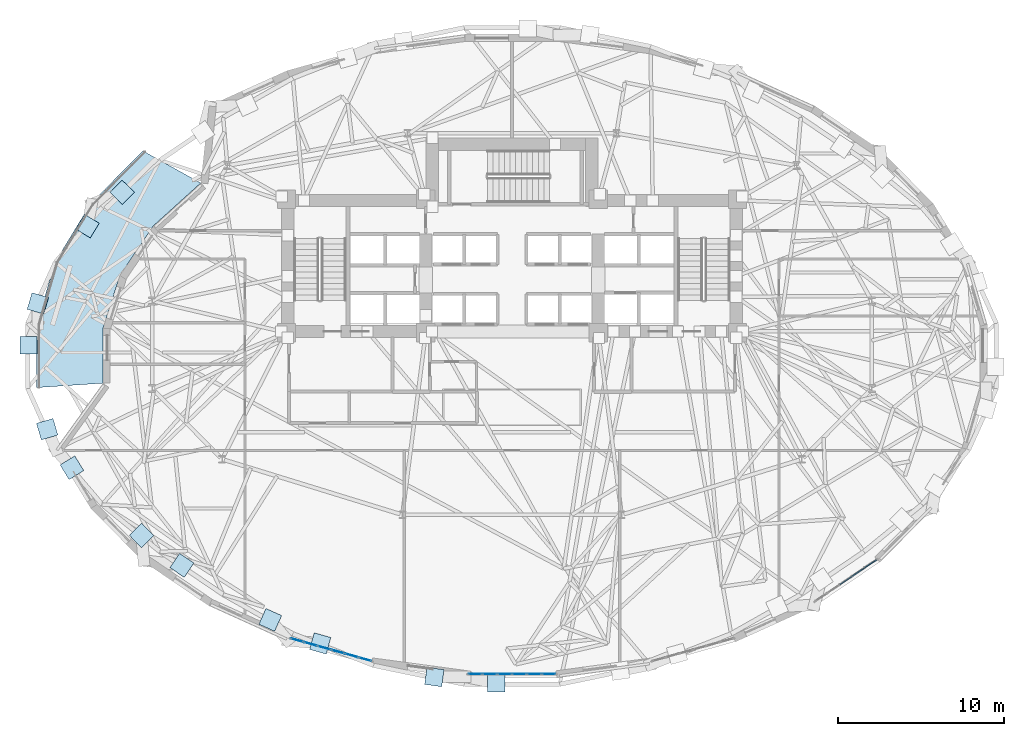
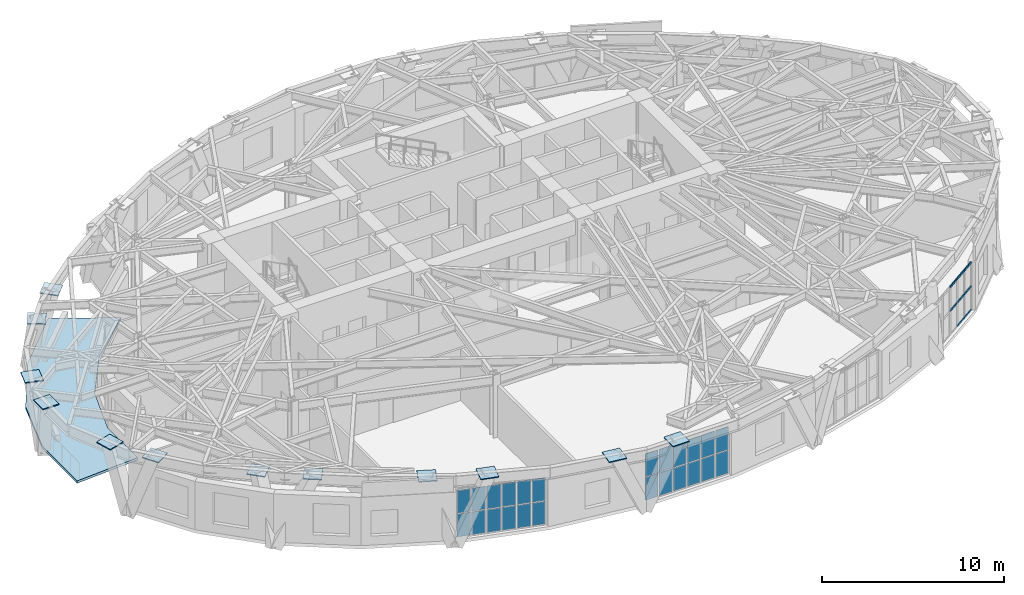
# One storey, part 9 of 20: 36 plates, 8 members, 1 slab, 3 elements without a shape of their own.
"""IFC4 building model written with IfcOpenShell, lengths in metres."""

from ifc_helpers import new_model, si_unit, direction, frame, origin, origin_2d, place, context, subcontext, project, spatial, polyline, rectangle, outline, extrude, material, layer, layer_set, material_profile, profile_set, type_object, element, aggregate, save


model = new_model("IFC4")

# Units and contexts
model_context = context("Model", 3, precision=1e-05, world=origin(), true_north=direction((0.0, 1.0)))
body_context = subcontext(model_context, "Body", "Model", "MODEL_VIEW")
ifc_project = project(units=[si_unit("LENGTHUNIT", "METRE"), si_unit("AREAUNIT", "SQUARE_METRE"), si_unit("VOLUMEUNIT", "CUBIC_METRE"), si_unit("PLANEANGLEUNIT", "RADIAN"), si_unit("MASSUNIT", "GRAM", prefix="KILO")], contexts=[model_context])

# Site, building, storey
site_placement = place(None, origin())
site = spatial("IfcSite", under=ifc_project, at=site_placement, CompositionType="ELEMENT")
building_placement = place(site_placement, origin())
building = spatial("IfcBuilding", under=site, at=building_placement, Name="Keldmark Tower", CompositionType="ELEMENT")
storey_placement = place(building_placement, frame((0.0, 0.0, 81.89990234375)))
storey = spatial("IfcBuildingStorey", under=building, at=storey_placement, Name="L21", CompositionType="ELEMENT", Elevation=81.89990234375)

# Curtain wall, members
ifc_material_1 = material(Name="Unitized Thermally Broken Aluminum and Triple Low-E Glazing", Category="aluminium")
ifc_layer_1 = layer(ifc_material_1, 0.219970703125)
ifc_layer_set_1 = layer_set([ifc_layer_1], Name="Unitized Thermally Broken Aluminum and Triple Low-E Glazing")
curtain_wall_type = type_object("IfcCurtainWallType", Name="Sky Lobby Amenity Curtain Wall System", PredefinedType="NOTDEFINED", material=ifc_layer_set_1)
curtain_wall_1_placement = place(storey_placement, origin())
curtain_wall_1 = element("IfcCurtainWall", 1, at=curtain_wall_1_placement, inside=storey, type_object=curtain_wall_type, Name="L21 Sky Lobby Amenity Curtain Wall System CW-L21-28", PredefinedType="NOTDEFINED")
ifc_material_2 = material(Name="Extruded Aluminum Alloy 6063-T6", Category="aluminium")
ifc_material_profile = material_profile(ifc_material_2, rectangle(XDim=0.06005859375, YDim=0.139892578125, at=origin_2d()), Name="CWT60X140")
ifc_profile_set = profile_set([ifc_material_profile], Name="Extruded Aluminum Alloy 6063-T6")
member_type = type_object("IfcMemberType", Name="Curtain Wall Horizontal Transom 60x140", PredefinedType="USERDEFINED", material=ifc_profile_set)
member_1_placement = place(storey_placement, frame((21.973876953125, -12.300537109375, 0.030029296875), z_axis=(-0.828128646075, -0.560538085726, 0.0), x_axis=(0.560538085726, -0.828128646075, 0.0)))
member_1 = element("IfcMember", 2, at=member_1_placement, type_object=member_type, Name="CW transom 1.1", ObjectType="TRANSOM", PredefinedType="USERDEFINED", context=body_context, shape_type="SweptSolid", body=[
    extrude(rectangle(XDim=0.06005859375, YDim=0.139892578125, at=origin_2d()), origin(), (0.0, 0.0, 1.0), 0.818359375),
])
member_2_placement = place(storey_placement, frame((21.973876953125, -12.300537109375, 1.614013671875), z_axis=(-0.828128646075, -0.560538085726, 0.0), x_axis=(0.560538085726, -0.828128646075, 0.0)))
member_2 = element("IfcMember", 3, at=member_2_placement, type_object=member_type, Name="CW transom 1.2", ObjectType="TRANSOM", PredefinedType="USERDEFINED", context=body_context, shape_type="SweptSolid", body=[
    extrude(rectangle(XDim=0.06005859375, YDim=0.139892578125, at=origin_2d()), origin(), (0.0, 0.0, 1.0), 0.818359375),
])
member_3_placement = place(storey_placement, frame((21.973876953125, -12.300537109375, 3.197998046875), z_axis=(-0.828128646075, -0.560538085726, 0.0), x_axis=(0.560538085726, -0.828128646075, 0.0)))
member_3 = element("IfcMember", 4, at=member_3_placement, type_object=member_type, Name="CW transom 1.3", ObjectType="TRANSOM", PredefinedType="USERDEFINED", context=body_context, shape_type="SweptSolid", body=[
    extrude(rectangle(XDim=0.06005859375, YDim=0.139892578125, at=origin_2d()), origin(), (0.0, 0.0, 1.0), 0.818359375),
])
member_4_placement = place(storey_placement, frame((21.24658203125, -12.79296875, 0.030029296875), z_axis=(-0.828043690832, -0.560663576552, 0.0), x_axis=(0.560663576552, -0.828043690832, 0.0)))
member_4 = element("IfcMember", 5, at=member_4_placement, type_object=member_type, Name="CW transom 2.1", ObjectType="TRANSOM", PredefinedType="USERDEFINED", context=body_context, shape_type="SweptSolid", body=[
    extrude(rectangle(XDim=0.06005859375, YDim=0.139892578125, at=origin_2d()), origin(), (0.0, 0.0, 1.0), 0.84814453125),
])
member_5_placement = place(storey_placement, frame((21.24658203125, -12.79296875, 1.614013671875), z_axis=(-0.828043690832, -0.560663576552, 0.0), x_axis=(0.560663576552, -0.828043690832, 0.0)))
member_5 = element("IfcMember", 6, at=member_5_placement, type_object=member_type, Name="CW transom 2.2", ObjectType="TRANSOM", PredefinedType="USERDEFINED", context=body_context, shape_type="SweptSolid", body=[
    extrude(rectangle(XDim=0.06005859375, YDim=0.139892578125, at=origin_2d()), origin(), (0.0, 0.0, 1.0), 0.84814453125),
])
member_6_placement = place(storey_placement, frame((21.24658203125, -12.79296875, 3.197998046875), z_axis=(-0.828043690832, -0.560663576552, 0.0), x_axis=(0.560663576552, -0.828043690832, 0.0)))
member_6 = element("IfcMember", 7, at=member_6_placement, type_object=member_type, Name="CW transom 2.3", ObjectType="TRANSOM", PredefinedType="USERDEFINED", context=body_context, shape_type="SweptSolid", body=[
    extrude(rectangle(XDim=0.06005859375, YDim=0.139892578125, at=origin_2d()), origin(), (0.0, 0.0, 1.0), 0.84814453125),
])
member_7_placement = place(storey_placement, frame((20.494384765625, -13.30224609375, 1.614013671875), z_axis=(-0.828043690832, -0.560663576552, 0.0), x_axis=(0.560663576552, -0.828043690832, 0.0)))
member_7 = element("IfcMember", 8, at=member_7_placement, type_object=member_type, Name="CW transom 3.2", ObjectType="TRANSOM", PredefinedType="USERDEFINED", context=body_context, shape_type="SweptSolid", body=[
    extrude(rectangle(XDim=0.06005859375, YDim=0.139892578125, at=origin_2d()), origin(), (0.0, 0.0, 1.0), 0.84814453125),
])
member_8_placement = place(storey_placement, frame((20.494384765625, -13.30224609375, 3.197998046875), z_axis=(-0.828043690832, -0.560663576552, 0.0), x_axis=(0.560663576552, -0.828043690832, 0.0)))
member_8 = element("IfcMember", 9, at=member_8_placement, type_object=member_type, Name="CW transom 3.3", ObjectType="TRANSOM", PredefinedType="USERDEFINED", context=body_context, shape_type="SweptSolid", body=[
    extrude(rectangle(XDim=0.06005859375, YDim=0.139892578125, at=origin_2d()), origin(), (0.0, 0.0, 1.0), 0.84814453125),
])
aggregate(curtain_wall_1, [member_1, member_2, member_3, member_4, member_5, member_6, member_7, member_8])

# Plates
ifc_material_3 = material(Name="Steel ASTM A572 Grade 50", Category="steel")
ifc_layer_2 = layer(ifc_material_3, 0.06494140625)
ifc_layer_set_2 = layer_set([ifc_layer_2], Name="Steel ASTM A572 Grade 50")
plate_type_1 = type_object("IfcPlateType", Name="Diagrid Node Assembly DN02 65 mm", PredefinedType="USERDEFINED", material=ifc_layer_set_2)
for number, where, z_axis, x_axis, name in (
    (10, (-23.507080078125, 9.8671875, 3.857666015625), (0.0, 0.0, 1.0), (-0.70240155419, -0.711780904964, 0.0), "L21 Diagrid Node Assembly 13"),
    (11, (-25.6044921875, 7.829345703125, 3.857666015625), (0.0, 0.0, 1.0), (-0.521903182306, -0.853004729353, 0.0), "L21 Diagrid Node Assembly 14"),
    (12, (-28.591552734375, 3.16943359375, 3.857666015625), (0.0, 0.0, 1.0), (-0.281839122541, -0.959461676674, 0.0), "L21 Diagrid Node Assembly 15"),
    (13, (-29.148193359375, 0.64404296875, 3.857666015625), (0.0, 0.0, 1.0), (0.0, -1.0, 0.0), "L21 Diagrid Node Assembly 16"),
    (14, (-28.0302734375, -4.41796875, 3.857666015625), (0.0, 0.0, 1.0), (0.281839122541, -0.959461676674, 0.0), "L21 Diagrid Node Assembly 17"),
    (15, (-26.53662109375, -6.741943359375, 3.857666015625), (0.0, 0.0, 1.0), (0.521903182306, -0.853004729353, 0.0), "L21 Diagrid Node Assembly 18"),
    (16, (-22.333740234375, -10.826416015625, 3.857666015625), (0.0, 0.0, 1.0), (0.70240155419, -0.711780904964, 0.0), "L21 Diagrid Node Assembly 19"),
    (17, (-19.90478515625, -12.62548828125, 3.857666015625), (0.0, 0.0, 1.0), (0.828060334622, -0.560638994563, 0.0), "L21 Diagrid Node Assembly 20"),
    (18, (-14.57568359375, -15.91845703125, 3.857666015625), (0.0, 0.0, 1.0), (0.911115763336, -0.41215053779, 0.0), "L21 Diagrid Node Assembly 21"),
    (19, (-11.564453125, -17.337890625, 3.857666015625), (0.0, 0.0, 1.0), (0.962833300518, -0.270096344686, 0.0), "L21 Diagrid Node Assembly 22"),
    (20, (-4.68408203125, -19.361328125, 3.857666015625), (0.0, 0.0, 1.0), (0.991053218872, -0.133467289485, 0.0), "L21 Diagrid Node Assembly 23"),
    (21, (-0.952880859375, -19.738037109375, 3.857666015625), (0.0, 0.0, 1.0), (1.0, 0.0, 0.0), "L21 Diagrid Node Assembly 24"),
):
    element("IfcPlate", number, at=place(storey_placement, frame(where, z_axis=z_axis, x_axis=x_axis)), inside=storey, type_object=plate_type_1, Name=name, ObjectType="GUSSET", PredefinedType="USERDEFINED", context=body_context, shape_type="SweptSolid", body=[
        extrude(rectangle(XDim=1.0400390625, YDim=1.0400390625, at=origin_2d()), origin(), (0.0, 0.0, 1.0), 0.06494140625),
    ])

# Slab
ifc_material_4 = material(Name="Concrete C35/45", Category="concrete")
ifc_layer_3 = layer(ifc_material_4, 0.1650390625)
ifc_layer_set_3 = layer_set([ifc_layer_3], Name="Concrete C35/45")
slab_type = type_object("IfcSlabType", Name="Planted Sky-Garden Terrace Slab 165 mm", PredefinedType="ROOF", material=ifc_layer_set_3)
slab_placement = place(storey_placement, frame((0.0, 0.0, -0.164794921875)))
element("IfcSlab", 22, at=slab_placement, inside=storey, type_object=slab_type, Name="Planted Sky-Garden Terrace Slab", PredefinedType="ROOF", context=body_context, shape_type="SweptSolid", body=[
    extrude(outline(polyline([(-22.2626953125, 12.37060546875), (-25.3994140625, 9.192138671875), (-27.559814453125, 5.66064453125), (-28.661376953125, 1.911376953125), (-28.661376953125, -1.911376953125), (-24.670166015625, -1.64501953125), (-24.670166015625, 1.64501953125), (-23.6416015625, 4.855712890625), (-21.637939453125, 7.8310546875), (-18.76611328125, 10.427734375), (-22.2626953125, 12.37060546875)])), origin(), (0.0, 0.0, 1.0), 0.164794921875),
])

# Curtain wall, plates
curtain_wall_2_placement = place(storey_placement, origin())
curtain_wall_2 = element("IfcCurtainWall", 23, at=curtain_wall_2_placement, inside=storey, type_object=curtain_wall_type, Name="L21 Sky Lobby Amenity Curtain Wall System CW-L21-22", PredefinedType="NOTDEFINED")
ifc_material_5 = material(Name="Triple Silver Low-E Insulated Glass Unit", Category="glass")
ifc_layer_4 = layer(ifc_material_5, 0.035888671875)
ifc_layer_set_4 = layer_set([ifc_layer_4], Name="Triple Silver Low-E Insulated Glass Unit")
plate_type_2 = type_object("IfcPlateType", Name="Triple Low-E Vision Glazing Panel 36 mm", PredefinedType="CURTAIN_PANEL", material=ifc_layer_set_4)
plate_1_placement = place(storey_placement, frame((-8.8623046875, -18.291015625, 0.06005859375), z_axis=(0.0, 0.0, 1.0), x_axis=(-0.962852341481, 0.270028458695, 0.0)))
plate_1 = element("IfcPlate", 24, at=plate_1_placement, type_object=plate_type_2, Name="CW panel 1.1", PredefinedType="CURTAIN_PANEL", context=body_context, shape_type="SweptSolid", body=[
    extrude(rectangle(XDim=0.76611328125, YDim=0.035888671875, at=origin_2d()), origin(), (0.0, 0.0, 1.0), 1.52392578125),
])
plate_2_placement = place(storey_placement, frame((-8.8623046875, -18.291015625, 1.64404296875), z_axis=(0.0, 0.0, 1.0), x_axis=(-0.962852341481, 0.270028458695, 0.0)))
plate_2 = element("IfcPlate", 25, at=plate_2_placement, type_object=plate_type_2, Name="CW panel 1.2", PredefinedType="CURTAIN_PANEL", context=body_context, shape_type="SweptSolid", body=[
    extrude(rectangle(XDim=0.76611328125, YDim=0.035888671875, at=origin_2d()), origin(), (0.0, 0.0, 1.0), 1.52392578125),
])
plate_3_placement = place(storey_placement, frame((-9.672119140625, -18.06396484375, 0.06005859375), z_axis=(0.0, 0.0, 1.0), x_axis=(-0.962852341481, 0.270028458695, 0.0)))
plate_3 = element("IfcPlate", 26, at=plate_3_placement, type_object=plate_type_2, Name="CW panel 2.1", PredefinedType="CURTAIN_PANEL", context=body_context, shape_type="SweptSolid", body=[
    extrude(rectangle(XDim=0.796142578125, YDim=0.035888671875, at=origin_2d()), origin(), (0.0, 0.0, 1.0), 1.52392578125),
])
plate_4_placement = place(storey_placement, frame((-9.672119140625, -18.06396484375, 1.64404296875), z_axis=(0.0, 0.0, 1.0), x_axis=(-0.962852341481, 0.270028458695, 0.0)))
plate_4 = element("IfcPlate", 27, at=plate_4_placement, type_object=plate_type_2, Name="CW panel 2.2", PredefinedType="CURTAIN_PANEL", context=body_context, shape_type="SweptSolid", body=[
    extrude(rectangle(XDim=0.796142578125, YDim=0.035888671875, at=origin_2d()), origin(), (0.0, 0.0, 1.0), 1.52392578125),
])
plate_5_placement = place(storey_placement, frame((-10.49658203125, -17.832763671875, 0.06005859375), z_axis=(0.0, 0.0, 1.0), x_axis=(-0.962852341481, 0.270028458695, 0.0)))
plate_5 = element("IfcPlate", 28, at=plate_5_placement, type_object=plate_type_2, Name="CW panel 3.1", PredefinedType="CURTAIN_PANEL", context=body_context, shape_type="SweptSolid", body=[
    extrude(rectangle(XDim=0.796142578125, YDim=0.035888671875, at=origin_2d()), origin(), (0.0, 0.0, 1.0), 1.52392578125),
])
plate_6_placement = place(storey_placement, frame((-10.49658203125, -17.832763671875, 1.64404296875), z_axis=(0.0, 0.0, 1.0), x_axis=(-0.962852341481, 0.270028458695, 0.0)))
plate_6 = element("IfcPlate", 29, at=plate_6_placement, type_object=plate_type_2, Name="CW panel 3.2", PredefinedType="CURTAIN_PANEL", context=body_context, shape_type="SweptSolid", body=[
    extrude(rectangle(XDim=0.796142578125, YDim=0.035888671875, at=origin_2d()), origin(), (0.0, 0.0, 1.0), 1.52392578125),
])
plate_7_placement = place(storey_placement, frame((-11.321044921875, -17.6015625, 0.06005859375), z_axis=(0.0, 0.0, 1.0), x_axis=(-0.962852341481, 0.270028458695, 0.0)))
plate_7 = element("IfcPlate", 30, at=plate_7_placement, type_object=plate_type_2, Name="CW panel 4.1", PredefinedType="CURTAIN_PANEL", context=body_context, shape_type="SweptSolid", body=[
    extrude(rectangle(XDim=0.796142578125, YDim=0.035888671875, at=origin_2d()), origin(), (0.0, 0.0, 1.0), 1.52392578125),
])
plate_8_placement = place(storey_placement, frame((-11.321044921875, -17.6015625, 1.64404296875), z_axis=(0.0, 0.0, 1.0), x_axis=(-0.962852341481, 0.270028458695, 0.0)))
plate_8 = element("IfcPlate", 31, at=plate_8_placement, type_object=plate_type_2, Name="CW panel 4.2", PredefinedType="CURTAIN_PANEL", context=body_context, shape_type="SweptSolid", body=[
    extrude(rectangle(XDim=0.796142578125, YDim=0.035888671875, at=origin_2d()), origin(), (0.0, 0.0, 1.0), 1.52392578125),
])
plate_9_placement = place(storey_placement, frame((-12.1455078125, -17.370361328125, 0.06005859375), z_axis=(0.0, 0.0, 1.0), x_axis=(-0.962852341481, 0.270028458695, 0.0)))
plate_9 = element("IfcPlate", 32, at=plate_9_placement, type_object=plate_type_2, Name="CW panel 5.1", PredefinedType="CURTAIN_PANEL", context=body_context, shape_type="SweptSolid", body=[
    extrude(rectangle(XDim=0.796142578125, YDim=0.035888671875, at=origin_2d()), origin(), (0.0, 0.0, 1.0), 1.52392578125),
])
plate_10_placement = place(storey_placement, frame((-12.1455078125, -17.370361328125, 1.64404296875), z_axis=(0.0, 0.0, 1.0), x_axis=(-0.962852341481, 0.270028458695, 0.0)))
plate_10 = element("IfcPlate", 33, at=plate_10_placement, type_object=plate_type_2, Name="CW panel 5.2", PredefinedType="CURTAIN_PANEL", context=body_context, shape_type="SweptSolid", body=[
    extrude(rectangle(XDim=0.796142578125, YDim=0.035888671875, at=origin_2d()), origin(), (0.0, 0.0, 1.0), 1.52392578125),
])
plate_11_placement = place(storey_placement, frame((-12.955322265625, -17.14306640625, 0.06005859375), z_axis=(0.0, 0.0, 1.0), x_axis=(-0.962852341481, 0.270028458695, 0.0)))
plate_11 = element("IfcPlate", 34, at=plate_11_placement, type_object=plate_type_2, Name="CW panel 6.1", PredefinedType="CURTAIN_PANEL", context=body_context, shape_type="SweptSolid", body=[
    extrude(rectangle(XDim=0.76611328125, YDim=0.035888671875, at=origin_2d()), origin(), (0.0, 0.0, 1.0), 1.52392578125),
])
plate_12_placement = place(storey_placement, frame((-12.955322265625, -17.14306640625, 1.64404296875), z_axis=(0.0, 0.0, 1.0), x_axis=(-0.962852341481, 0.270028458695, 0.0)))
plate_12 = element("IfcPlate", 35, at=plate_12_placement, type_object=plate_type_2, Name="CW panel 6.2", PredefinedType="CURTAIN_PANEL", context=body_context, shape_type="SweptSolid", body=[
    extrude(rectangle(XDim=0.76611328125, YDim=0.035888671875, at=origin_2d()), origin(), (0.0, 0.0, 1.0), 1.52392578125),
])
aggregate(curtain_wall_2, [plate_1, plate_2, plate_3, plate_4, plate_5, plate_6, plate_7, plate_8, plate_9, plate_10, plate_11, plate_12])

curtain_wall_3_placement = place(storey_placement, origin())
curtain_wall_3 = element("IfcCurtainWall", 36, at=curtain_wall_3_placement, inside=storey, type_object=curtain_wall_type, Name="L21 Sky Lobby Amenity Curtain Wall System CW-L21-24", PredefinedType="NOTDEFINED")
plate_13_placement = place(storey_placement, frame((2.220703125, -19.18603515625, 0.06005859375), z_axis=(0.0, 0.0, 1.0), x_axis=(-1.0, 0.0, 0.0)))
plate_13 = element("IfcPlate", 37, at=plate_13_placement, type_object=plate_type_2, Name="CW panel 1.1", PredefinedType="CURTAIN_PANEL", context=body_context, shape_type="SweptSolid", body=[
    extrude(rectangle(XDim=0.80419921875, YDim=0.035888671875, at=origin_2d()), origin(), (0.0, 0.0, 1.0), 1.52392578125),
])
plate_14_placement = place(storey_placement, frame((2.220703125, -19.18603515625, 1.64404296875), z_axis=(0.0, 0.0, 1.0), x_axis=(-1.0, 0.0, 0.0)))
plate_14 = element("IfcPlate", 38, at=plate_14_placement, type_object=plate_type_2, Name="CW panel 1.2", PredefinedType="CURTAIN_PANEL", context=body_context, shape_type="SweptSolid", body=[
    extrude(rectangle(XDim=0.80419921875, YDim=0.035888671875, at=origin_2d()), origin(), (0.0, 0.0, 1.0), 1.52392578125),
])
plate_15_placement = place(storey_placement, frame((1.341552734375, -19.18603515625, 0.06005859375), z_axis=(0.0, 0.0, 1.0), x_axis=(-1.0, 0.0, 0.0)))
plate_15 = element("IfcPlate", 39, at=plate_15_placement, type_object=plate_type_2, Name="CW panel 2.1", PredefinedType="CURTAIN_PANEL", context=body_context, shape_type="SweptSolid", body=[
    extrude(rectangle(XDim=0.834228515625, YDim=0.035888671875, at=origin_2d()), origin(), (0.0, 0.0, 1.0), 1.52392578125),
])
plate_16_placement = place(storey_placement, frame((1.341552734375, -19.18603515625, 1.64404296875), z_axis=(0.0, 0.0, 1.0), x_axis=(-1.0, 0.0, 0.0)))
plate_16 = element("IfcPlate", 40, at=plate_16_placement, type_object=plate_type_2, Name="CW panel 2.2", PredefinedType="CURTAIN_PANEL", context=body_context, shape_type="SweptSolid", body=[
    extrude(rectangle(XDim=0.834228515625, YDim=0.035888671875, at=origin_2d()), origin(), (0.0, 0.0, 1.0), 1.52392578125),
])
plate_17_placement = place(storey_placement, frame((0.447265625, -19.18603515625, 0.06005859375), z_axis=(0.0, 0.0, 1.0), x_axis=(-1.0, 0.0, 0.0)))
plate_17 = element("IfcPlate", 41, at=plate_17_placement, type_object=plate_type_2, Name="CW panel 3.1", PredefinedType="CURTAIN_PANEL", context=body_context, shape_type="SweptSolid", body=[
    extrude(rectangle(XDim=0.834228515625, YDim=0.035888671875, at=origin_2d()), origin(), (0.0, 0.0, 1.0), 1.52392578125),
])
plate_18_placement = place(storey_placement, frame((0.447265625, -19.18603515625, 1.64404296875), z_axis=(0.0, 0.0, 1.0), x_axis=(-1.0, 0.0, 0.0)))
plate_18 = element("IfcPlate", 42, at=plate_18_placement, type_object=plate_type_2, Name="CW panel 3.2", PredefinedType="CURTAIN_PANEL", context=body_context, shape_type="SweptSolid", body=[
    extrude(rectangle(XDim=0.834228515625, YDim=0.035888671875, at=origin_2d()), origin(), (0.0, 0.0, 1.0), 1.52392578125),
])
plate_19_placement = place(storey_placement, frame((-0.447265625, -19.18603515625, 0.06005859375), z_axis=(0.0, 0.0, 1.0), x_axis=(-1.0, 0.0, 0.0)))
plate_19 = element("IfcPlate", 43, at=plate_19_placement, type_object=plate_type_2, Name="CW panel 4.1", PredefinedType="CURTAIN_PANEL", context=body_context, shape_type="SweptSolid", body=[
    extrude(rectangle(XDim=0.834228515625, YDim=0.035888671875, at=origin_2d()), origin(), (0.0, 0.0, 1.0), 1.52392578125),
])
plate_20_placement = place(storey_placement, frame((-0.447265625, -19.18603515625, 1.64404296875), z_axis=(0.0, 0.0, 1.0), x_axis=(-1.0, 0.0, 0.0)))
plate_20 = element("IfcPlate", 44, at=plate_20_placement, type_object=plate_type_2, Name="CW panel 4.2", PredefinedType="CURTAIN_PANEL", context=body_context, shape_type="SweptSolid", body=[
    extrude(rectangle(XDim=0.834228515625, YDim=0.035888671875, at=origin_2d()), origin(), (0.0, 0.0, 1.0), 1.52392578125),
])
plate_21_placement = place(storey_placement, frame((-1.341552734375, -19.18603515625, 0.06005859375), z_axis=(0.0, 0.0, 1.0), x_axis=(-1.0, 0.0, 0.0)))
plate_21 = element("IfcPlate", 45, at=plate_21_placement, type_object=plate_type_2, Name="CW panel 5.1", PredefinedType="CURTAIN_PANEL", context=body_context, shape_type="SweptSolid", body=[
    extrude(rectangle(XDim=0.834228515625, YDim=0.035888671875, at=origin_2d()), origin(), (0.0, 0.0, 1.0), 1.52392578125),
])
plate_22_placement = place(storey_placement, frame((-1.341552734375, -19.18603515625, 1.64404296875), z_axis=(0.0, 0.0, 1.0), x_axis=(-1.0, 0.0, 0.0)))
plate_22 = element("IfcPlate", 46, at=plate_22_placement, type_object=plate_type_2, Name="CW panel 5.2", PredefinedType="CURTAIN_PANEL", context=body_context, shape_type="SweptSolid", body=[
    extrude(rectangle(XDim=0.834228515625, YDim=0.035888671875, at=origin_2d()), origin(), (0.0, 0.0, 1.0), 1.52392578125),
])
plate_23_placement = place(storey_placement, frame((-2.220703125, -19.18603515625, 0.06005859375), z_axis=(0.0, 0.0, 1.0), x_axis=(-1.0, 0.0, 0.0)))
plate_23 = element("IfcPlate", 47, at=plate_23_placement, type_object=plate_type_2, Name="CW panel 6.1", PredefinedType="CURTAIN_PANEL", context=body_context, shape_type="SweptSolid", body=[
    extrude(rectangle(XDim=0.80419921875, YDim=0.035888671875, at=origin_2d()), origin(), (0.0, 0.0, 1.0), 1.52392578125),
])
plate_24_placement = place(storey_placement, frame((-2.220703125, -19.18603515625, 1.64404296875), z_axis=(0.0, 0.0, 1.0), x_axis=(-1.0, 0.0, 0.0)))
plate_24 = element("IfcPlate", 48, at=plate_24_placement, type_object=plate_type_2, Name="CW panel 6.2", PredefinedType="CURTAIN_PANEL", context=body_context, shape_type="SweptSolid", body=[
    extrude(rectangle(XDim=0.80419921875, YDim=0.035888671875, at=origin_2d()), origin(), (0.0, 0.0, 1.0), 1.52392578125),
])
aggregate(curtain_wall_3, [plate_13, plate_14, plate_15, plate_16, plate_17, plate_18, plate_19, plate_20, plate_21, plate_22, plate_23, plate_24])

save(model, "model.ifc")
